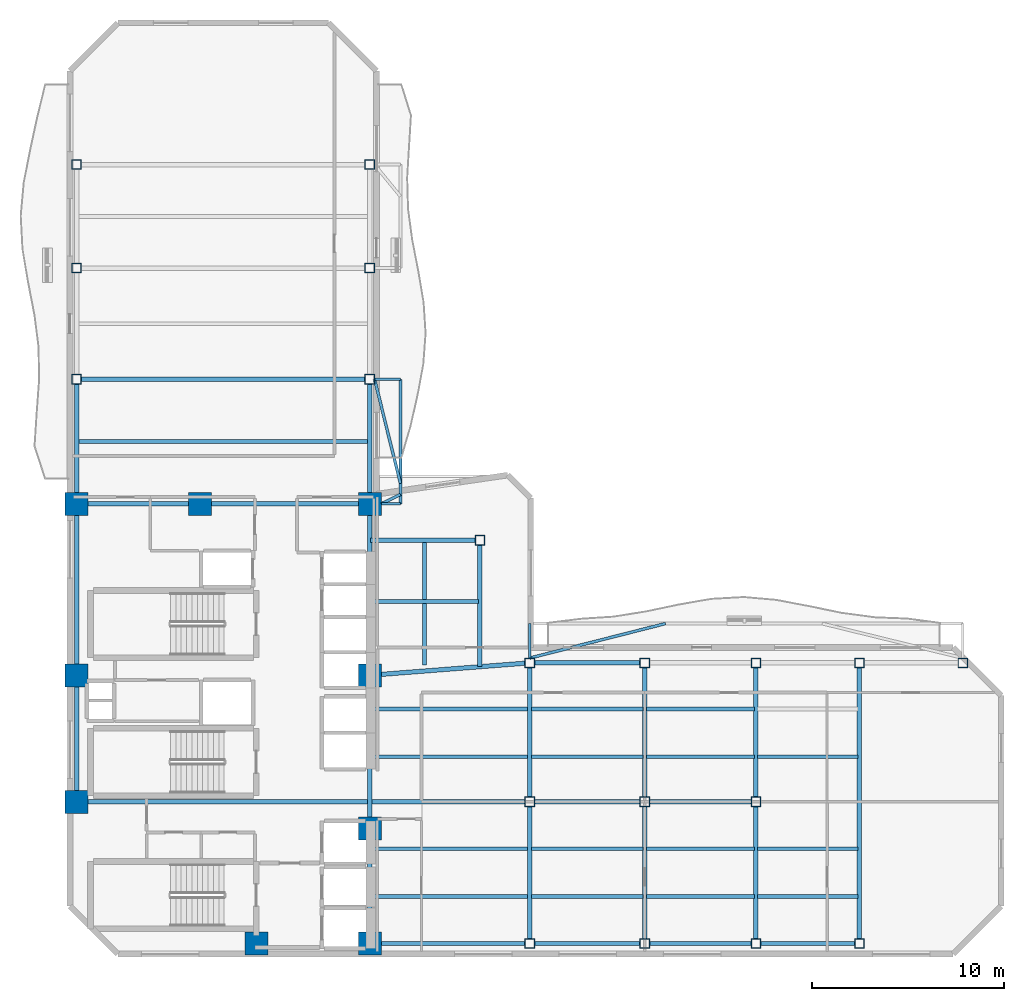
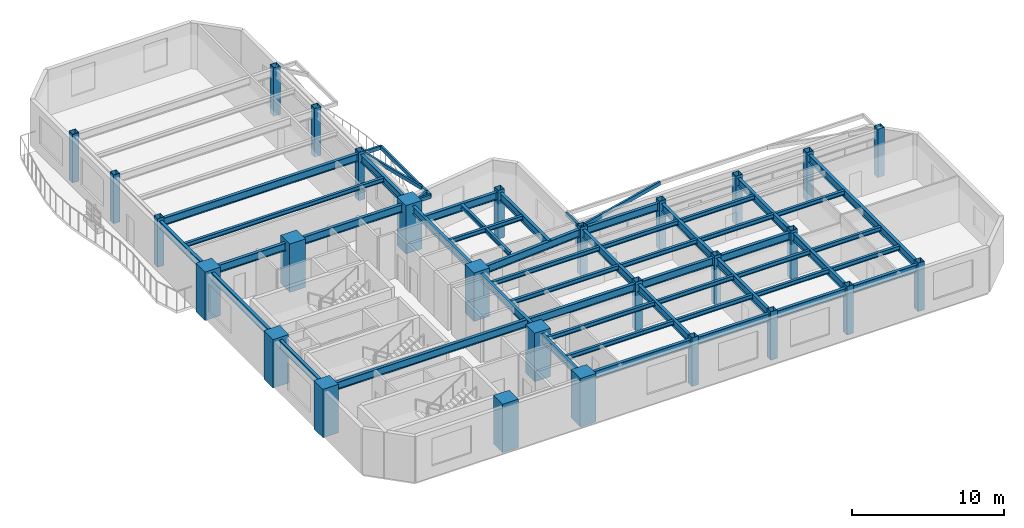
# One storey, part 1 of 9: 53 beams, 28 columns.
"""IFC4 building model written with IfcOpenShell, lengths in metres."""

import ifcopenshell
import ifcopenshell.guid

model = None  # the IFC model being written
_history = None  # IfcOwnerHistory: only IFC2X3 demands one
_inside = {}  # id of a spatial element -> (the spatial element, [elements in it])
_under = {}  # id of a project, library or spatial element -> (it, [spatial elements below it])
_declared = {}  # id of a project -> (the project, [libraries it declares])
_typed = {}  # id of a type object -> (the type object, [elements of that type])
_made_of = {}  # id of a material, layer set ... -> (it, [elements and type objects made of it])


def new_model(schema):
    """Start an empty IFC model of exactly this schema.

    Asked for "IFC4X3", IfcOpenShell would pick the latest addendum, in which some entities
    have other attributes; the version numbers below select the first issue.
    IFC2X3 requires an IfcOwnerHistory on every rooted entity: one is made here for all.
    """
    global model, _history
    if schema == "IFC4X3":
        model = ifcopenshell.file(schema_version=(4, 3, 0, 0))
    else:
        model = ifcopenshell.file(schema=schema)
    _inside.clear()
    _under.clear()
    _declared.clear()
    _typed.clear()
    _made_of.clear()
    _history = None
    if model.schema == "IFC2X3":
        org = make("IfcOrganization", Name="unknown")
        user = make(
            "IfcPersonAndOrganization",
            ThePerson=make("IfcPerson", FamilyName="unknown"),
            TheOrganization=org,
        )
        app = make(
            "IfcApplication",
            ApplicationDeveloper=org,
            Version="unknown",
            ApplicationFullName="unknown",
            ApplicationIdentifier="unknown",
        )
        _history = make(
            "IfcOwnerHistory",
            OwningUser=user,
            OwningApplication=app,
            ChangeAction="ADDED",
            CreationDate=0,
        )
    return model


def make(cls, **values):
    """One entity of the class cls with the attributes given. An attribute that is None is left unset."""
    return model.create_entity(
        cls, **{name: value for name, value in values.items() if value is not None}
    )


def rooted(cls, **values):
    """An entity with a GlobalId (a new one), such as an element, a storey or a relation."""
    return make(cls, GlobalId=ifcopenshell.guid.new(), OwnerHistory=_history, **values)


def si_unit(unit_type, name, prefix=None):
    """IfcSIUnit, for example si_unit("LENGTHUNIT", "METRE", prefix="MILLI")."""
    return make("IfcSIUnit", UnitType=unit_type, Prefix=prefix, Name=name)


def assignment(units):
    """IfcUnitAssignment: the units of a project."""
    return None if units is None else make("IfcUnitAssignment", Units=units)


def point(xyz):
    """IfcCartesianPoint."""
    return None if xyz is None else make("IfcCartesianPoint", Coordinates=xyz)


def direction(xyz):
    """IfcDirection."""
    return None if xyz is None else make("IfcDirection", DirectionRatios=xyz)


def frame(location, z_axis=None, x_axis=None):
    """IfcAxis2Placement3D, a coordinate frame: its origin and axes. An axis left out is left unset."""
    return make(
        "IfcAxis2Placement3D",
        Location=point(location),
        Axis=direction(z_axis),
        RefDirection=direction(x_axis),
    )


def frame_2d(location, x_axis=None):
    """IfcAxis2Placement2D, a coordinate frame in the plane: its origin and x axis."""
    return make(
        "IfcAxis2Placement2D", Location=point(location), RefDirection=direction(x_axis)
    )


def origin():
    """The frame at (0, 0, 0) with its axes left unset."""
    return frame((0.0, 0.0, 0.0))


def origin_2d():
    """The frame at (0, 0) in the plane with its x axis left unset."""
    return frame_2d((0.0, 0.0))


def place(relative_to, where):
    """IfcLocalPlacement: puts the frame where relative to a parent placement (None: the world)."""
    return make(
        "IfcLocalPlacement", PlacementRelTo=relative_to, RelativePlacement=where
    )


def context(
    kind, dimensions, precision=None, world=None, true_north=None, identifier=None
):
    """IfcGeometricRepresentationContext, for example the 3D "Model" context."""
    return make(
        "IfcGeometricRepresentationContext",
        ContextIdentifier=identifier,
        ContextType=kind,
        CoordinateSpaceDimension=dimensions,
        Precision=precision,
        WorldCoordinateSystem=world,
        TrueNorth=true_north,
    )


def subcontext(parent, identifier, kind, view, scale=None):
    """IfcGeometricRepresentationSubContext, for example "Body" below "Model"."""
    return make(
        "IfcGeometricRepresentationSubContext",
        ContextIdentifier=identifier,
        ContextType=kind,
        ParentContext=parent,
        TargetScale=scale,
        TargetView=view,
    )


def project(units=None, contexts=None):
    """IfcProject with its units and contexts."""
    return rooted(
        "IfcProject",
        Name="project",
        RepresentationContexts=contexts,
        UnitsInContext=assignment(units),
    )


def spatial(cls, under=None, at=None, **own):
    """A site, building, storey or space (cls), placed at a placement, below another one or the project."""
    s = rooted(cls, ObjectPlacement=at, **own)
    if under is not None:
        _under.setdefault(under.id(), (under, []))[1].append(s)
    return s


def profile(cls, at=None, kind="AREA", **sizes):
    """A parametric profile (cls). Its sizes go by their IFC names, for example OverallWidth=200.0."""
    return make(cls, ProfileType=kind, Position=at, **sizes)


def rectangle(**sizes):
    """IfcRectangleProfileDef."""
    return profile("IfcRectangleProfileDef", **sizes)


def hollow_rectangle(**sizes):
    """IfcRectangleHollowProfileDef."""
    return profile("IfcRectangleHollowProfileDef", **sizes)


def i_section(**sizes):
    """IfcIShapeProfileDef."""
    return profile("IfcIShapeProfileDef", **sizes)


def extrude(swept, where, along, depth):
    """IfcExtrudedAreaSolid: the profile swept, set in the frame where, extruded along a direction by depth."""
    return make(
        "IfcExtrudedAreaSolid",
        SweptArea=swept,
        Position=where,
        ExtrudedDirection=direction(along),
        Depth=depth,
    )


def shape(context_of_items, identifier, shape_type, items):
    """IfcShapeRepresentation: the items that make up one representation, for example the "Body"."""
    return make(
        "IfcShapeRepresentation",
        ContextOfItems=context_of_items,
        RepresentationIdentifier=identifier,
        RepresentationType=shape_type,
        Items=items,
    )


def material(Name=None, Category=None):
    """IfcMaterial."""
    return make("IfcMaterial", Name=Name, Category=Category)


def material_profile(
    of_material, cross_section, Name=None, Category=None, Priority=None
):
    """IfcMaterialProfile: a cross section and its material."""
    return make(
        "IfcMaterialProfile",
        Name=Name,
        Material=of_material,
        Profile=cross_section,
        Priority=Priority,
        Category=Category,
    )


def profile_set(profiles, Name=None, composite=None):
    """IfcMaterialProfileSet."""
    return make(
        "IfcMaterialProfileSet",
        Name=Name,
        MaterialProfiles=profiles,
        CompositeProfile=composite,
    )


def made_of(thing, what):
    """Note that an element or type object is made of a material, layer set ...; save() writes the relation."""
    if what is not None:
        _made_of.setdefault(what.id(), (what, []))[1].append(thing)
    return thing


def type_object(cls, material=None, **own):
    """A type object (cls), such as IfcWallType, which elements share."""
    return made_of(rooted(cls, **own), material)


def element(
    cls,
    number,
    at=None,
    inside=None,
    cuts=None,
    type_object=None,
    material=None,
    context=None,
    identifier="Body",
    shape_type=None,
    held_by="IfcProductDefinitionShape",
    body=None,
    shapes=None,
    **own,
):
    """One element of the class cls, such as IfcWall. Its Tag is "e" and its number.

    at: its placement. inside: the storey or other place that contains it. cuts: it is an
    opening in that element (IfcRelVoidsElement). A single representation is given by context,
    identifier, shape_type and body (its items); several are given by shapes. held_by: the class
    of the entity that holds the representations. save() writes the other relations.
    """
    e = rooted(cls, Tag="e%d" % number, ObjectPlacement=at, **own)
    if body is not None:
        shapes = [shape(context, identifier, shape_type, body)]
    if shapes is not None:
        e.Representation = make(held_by, Representations=shapes)
    if inside is not None:
        _inside.setdefault(inside.id(), (inside, []))[1].append(e)
    if cuts is not None:
        rooted(
            "IfcRelVoidsElement", RelatingBuildingElement=cuts, RelatedOpeningElement=e
        )
    if type_object is not None:
        _typed.setdefault(type_object.id(), (type_object, []))[1].append(e)
    return made_of(e, material)


def aggregate(whole, parts):
    """IfcRelAggregates: a whole, such as a stair, and the parts it consists of."""
    return rooted("IfcRelAggregates", RelatingObject=whole, RelatedObjects=parts)


def save(model, path):
    """Write the relations noted so far, then the file.

    IfcRelAggregates (storeys below a building ...), IfcRelContainedInSpatialStructure (elements
    in a storey), IfcRelDefinesByType, IfcRelAssociatesMaterial and IfcRelDeclares: one each for
    every whole, place, type object, material and project.
    """
    for whole, parts in _under.values():
        aggregate(whole, parts)
    for where, things in _inside.values():
        rooted(
            "IfcRelContainedInSpatialStructure",
            RelatedElements=things,
            RelatingStructure=where,
        )
    for kind, things in _typed.values():
        rooted("IfcRelDefinesByType", RelatedObjects=things, RelatingType=kind)
    for what, things in _made_of.values():
        rooted("IfcRelAssociatesMaterial", RelatedObjects=things, RelatingMaterial=what)
    for by, libraries in _declared.values():
        rooted("IfcRelDeclares", RelatingContext=by, RelatedDefinitions=libraries)
    model.write(path)


model = new_model("IFC4")

# Units and contexts
model_context = context("Model", 3, precision=1e-05, world=origin(), true_north=direction((0.0, 1.0)))
body_context = subcontext(model_context, "Body", "Model", "MODEL_VIEW")
ifc_project = project(units=[si_unit("LENGTHUNIT", "METRE"), si_unit("AREAUNIT", "SQUARE_METRE"), si_unit("VOLUMEUNIT", "CUBIC_METRE"), si_unit("PLANEANGLEUNIT", "RADIAN"), si_unit("MASSUNIT", "GRAM", prefix="KILO")], contexts=[model_context])

# Site, building, storey
site_placement = place(None, origin())
site = spatial("IfcSite", under=ifc_project, at=site_placement, CompositionType="ELEMENT")
building_placement = place(site_placement, origin())
building = spatial("IfcBuilding", under=site, at=building_placement, Name="Mawjaban Terraces University", CompositionType="ELEMENT")
storey_placement = place(building_placement, frame((0.0, 0.0, 146.300048828125)))
storey = spatial("IfcBuildingStorey", under=building, at=storey_placement, Name="L35", CompositionType="ELEMENT", Elevation=146.300048828125)

# Columns
ifc_material_1 = material(Name="Concrete C60/75", Category="concrete")
ifc_material_profile_1 = material_profile(ifc_material_1, rectangle(XDim=1.199951171875, YDim=1.199951171875, at=origin_2d()), Name="RC1200X1200")
ifc_profile_set_1 = profile_set([ifc_material_profile_1], Name="Concrete C60/75")
column_type_1 = type_object("IfcColumnType", Name="Col_RC1200X1200", PredefinedType="COLUMN", material=ifc_profile_set_1)
for number, where, z_axis, x_axis, name in (
    (1, (31.75, 0.550048828125, 0.0), (0.0, 0.0, 1.0), (1.0, 0.0, 0.0), "L35 Column CC2"),
    (2, (37.64990234375, 0.550048828125, 0.0), (0.0, 0.0, 1.0), (1.0, 0.0, 0.0), "L35 Column CC3"),
    (3, (22.35009765625, 7.949951171875, 0.0), (0.0, 0.0, 1.0), (1.0, 0.0, 0.0), "L35 Column CC4"),
    (4, (37.64990234375, 6.550048828125, 0.0), (0.0, 0.0, 1.0), (1.0, 0.0, 0.0), "L35 Column CC5"),
    (5, (22.35009765625, 14.550048828125, 0.0), (0.0, 0.0, 1.0), (1.0, 0.0, 0.0), "L35 Column CC6"),
    (6, (37.64990234375, 14.550048828125, 0.0), (0.0, 0.0, 1.0), (1.0, 0.0, 0.0), "L35 Column CC7"),
    (7, (22.35009765625, 23.5, 0.0), (0.0, 0.0, 1.0), (1.0, 0.0, 0.0), "L35 Column CC8"),
    (8, (28.800048828125, 23.5, 0.0), (0.0, 0.0, 1.0), (1.0, 0.0, 0.0), "L35 Column CC9"),
    (9, (37.64990234375, 23.5, 0.0), (0.0, 0.0, 1.0), (1.0, 0.0, 0.0), "L35 Column CC10"),
):
    element("IfcColumn", number, at=place(storey_placement, frame(where, z_axis=z_axis, x_axis=x_axis)), inside=storey, type_object=column_type_1, Name=name, PredefinedType="COLUMN", context=body_context, shape_type="SweptSolid", body=[
        extrude(rectangle(XDim=1.199951171875, YDim=1.199951171875, at=origin_2d()), origin(), (0.0, 0.0, 1.0), 3.89990234375),
    ])
ifc_material_2 = material(Name="Steel EN 10210-1 S355J2H", Category="steel")
ifc_material_profile_2 = material_profile(ifc_material_2, hollow_rectangle(XDim=0.5, YDim=0.5, WallThickness=0.02490234375, at=origin_2d()), Name="SHS500X500X25")
ifc_profile_set_2 = profile_set([ifc_material_profile_2], Name="Steel EN 10210-1 S355J2H")
column_type_2 = type_object("IfcColumnType", Name="Col_SHS500X500X25", PredefinedType="COLUMN", material=ifc_profile_set_2)
for number, where, z_axis, x_axis, name in (
    (10, (46.0, 0.550048828125, 0.0), (0.0, 0.0, 1.0), (1.0, 0.0, 0.0), "L35 Column TE-460-005"),
    (11, (46.0, 7.949951171875, 0.0), (0.0, 0.0, 1.0), (1.0, 0.0, 0.0), "L35 Column TE-460-080"),
    (12, (46.0, 15.199951171875, 0.0), (0.0, 0.0, 1.0), (1.0, 0.0, 0.0), "L35 Column TE-460-152"),
    (13, (52.0, 0.550048828125, 0.0), (0.0, 0.0, 1.0), (1.0, 0.0, 0.0), "L35 Column TE-520-005"),
    (14, (52.0, 7.949951171875, 0.0), (0.0, 0.0, 1.0), (1.0, 0.0, 0.0), "L35 Column TE-520-080"),
    (15, (52.0, 15.199951171875, 0.0), (0.0, 0.0, 1.0), (1.0, 0.0, 0.0), "L35 Column TE-520-152"),
    (16, (57.800048828125, 0.550048828125, 0.0), (0.0, 0.0, 1.0), (1.0, 0.0, 0.0), "L35 Column TE-578-005"),
    (17, (57.800048828125, 7.949951171875, 0.0), (0.0, 0.0, 1.0), (1.0, 0.0, 0.0), "L35 Column TE-578-080"),
    (18, (57.800048828125, 15.199951171875, 0.0), (0.0, 0.0, 1.0), (1.0, 0.0, 0.0), "L35 Column TE-578-152"),
    (19, (63.199951171875, 0.550048828125, 0.0), (0.0, 0.0, 1.0), (1.0, 0.0, 0.0), "L35 Column TE-632-005"),
    (20, (63.199951171875, 15.199951171875, 0.0), (0.0, 0.0, 1.0), (1.0, 0.0, 0.0), "L35 Column TE-632-152"),
    (21, (68.60009765625, 15.199951171875, 0.0), (0.0, 0.0, 1.0), (1.0, 0.0, 0.0), "L35 Column TE-686-152"),
    (22, (22.35009765625, 30.0, 0.0), (0.0, 0.0, 1.0), (1.0, 0.0, 0.0), "L35 Column TN-223-300"),
    (23, (37.64990234375, 30.0, 0.0), (0.0, 0.0, 1.0), (1.0, 0.0, 0.0), "L35 Column TN-376-300"),
    (24, (22.35009765625, 35.800048828125, 0.0), (0.0, 0.0, 1.0), (1.0, 0.0, 0.0), "L35 Column TN-223-358"),
    (25, (37.64990234375, 35.800048828125, 0.0), (0.0, 0.0, 1.0), (1.0, 0.0, 0.0), "L35 Column TN-376-358"),
    (26, (22.35009765625, 41.199951171875, 0.0), (0.0, 0.0, 1.0), (1.0, 0.0, 0.0), "L35 Column TN-223-412"),
    (27, (37.64990234375, 41.199951171875, 0.0), (0.0, 0.0, 1.0), (1.0, 0.0, 0.0), "L35 Column TN-376-412"),
    (28, (43.39990234375, 21.60009765625, 0.0), (0.0, 0.0, 1.0), (1.0, 0.0, 0.0), "L35 Column TS-434-216"),
):
    element("IfcColumn", number, at=place(storey_placement, frame(where, z_axis=z_axis, x_axis=x_axis)), inside=storey, type_object=column_type_2, Name=name, PredefinedType="COLUMN", context=body_context, shape_type="SweptSolid", body=[
        extrude(hollow_rectangle(XDim=0.5, YDim=0.5, WallThickness=0.02490234375, at=origin_2d()), origin(), (0.0, 0.0, 1.0), 3.89990234375),
    ])

# Beams
ifc_material_profile_3 = material_profile(ifc_material_2, hollow_rectangle(XDim=0.14990234375, YDim=0.300048828125, WallThickness=0.012451171875, at=origin_2d()), Name="RHS300X150X12.5")
ifc_profile_set_3 = profile_set([ifc_material_profile_3], Name="Steel EN 10210-1 S355J2H")
beam_type_1 = type_object("IfcBeamType", Name="BalconyCantileverSpandrel_RHS", PredefinedType="SPANDREL", material=ifc_profile_set_3)
beam_1_placement = place(storey_placement, frame((46.0, 15.449951171875, 3.5400390625), z_axis=(0.0, 1.0, 0.0), x_axis=(-1.0, 0.0, 0.0)))
element("IfcBeam", 29, at=beam_1_placement, inside=storey, type_object=beam_type_1, Name="L35 Exterior Outrigger BAL-L36-N.1", PredefinedType="SPANDREL", context=body_context, shape_type="SweptSolid", body=[
    extrude(hollow_rectangle(XDim=0.14990234375, YDim=0.300048828125, WallThickness=0.012451171875, at=origin_2d()), origin(), (0.0, 0.0, 1.0), 1.800048828125),
])
beam_2_placement = place(storey_placement, frame((46.0, 15.449951171875, 3.5400390625), z_axis=(0.969183810261, 0.24633867323, 0.0), x_axis=(-0.24633867323, 0.969183810261, 0.0)))
element("IfcBeam", 30, at=beam_2_placement, inside=storey, type_object=beam_type_1, Name="L35 Exterior Diagonal Strut BAL-L36-N.1", PredefinedType="SPANDREL", context=body_context, shape_type="SweptSolid", body=[
    extrude(hollow_rectangle(XDim=0.14990234375, YDim=0.300048828125, WallThickness=0.012451171875, at=origin_2d()), origin(), (0.0, 0.0, 1.0), 7.30712890625),
])
beam_3_placement = place(storey_placement, frame((38.25, 23.5, 3.5400390625), z_axis=(1.0, 0.0, 0.0), x_axis=(0.0, 1.0, 0.0)))
element("IfcBeam", 31, at=beam_3_placement, inside=storey, type_object=beam_type_1, Name="L35 Exterior Outrigger TER-L36-CLIMB.1", PredefinedType="SPANDREL", context=body_context, shape_type="SweptSolid", body=[
    extrude(hollow_rectangle(XDim=0.14990234375, YDim=0.300048828125, WallThickness=0.012451171875, at=origin_2d()), origin(), (0.0, 0.0, 1.0), 1.0),
])
beam_4_placement = place(storey_placement, frame((37.89990234375, 30.0, 3.5400390625), z_axis=(1.0, 0.0, 0.0), x_axis=(0.0, 1.0, 0.0)))
element("IfcBeam", 32, at=beam_4_placement, inside=storey, type_object=beam_type_1, Name="L35 Exterior Outrigger TER-L36-CLIMB.2", PredefinedType="SPANDREL", context=body_context, shape_type="SweptSolid", body=[
    extrude(hollow_rectangle(XDim=0.14990234375, YDim=0.300048828125, WallThickness=0.012451171875, at=origin_2d()), origin(), (0.0, 0.0, 1.0), 1.35009765625),
])
beam_5_placement = place(storey_placement, frame((39.25, 23.5, 3.5400390625), z_axis=(0.0, 1.0, 0.0), x_axis=(-1.0, 0.0, 0.0)))
element("IfcBeam", 33, at=beam_5_placement, inside=storey, type_object=beam_type_1, Name="L35 Exterior Edge Spandrel TER-L36-CLIMB", PredefinedType="SPANDREL", context=body_context, shape_type="SweptSolid", body=[
    extrude(hollow_rectangle(XDim=0.14990234375, YDim=0.300048828125, WallThickness=0.012451171875, at=origin_2d()), origin(), (0.0, 0.0, 1.0), 6.5),
])
beam_6_placement = place(storey_placement, frame((38.25, 23.5, 3.5400390625), z_axis=(0.899722630954, 0.436462125905, 0.0), x_axis=(-0.436462125905, 0.899722630954, 0.0)))
element("IfcBeam", 34, at=beam_6_placement, inside=storey, type_object=beam_type_1, Name="L35 Exterior Diagonal Strut TER-L36-CLIMB.1", PredefinedType="SPANDREL", context=body_context, shape_type="SweptSolid", body=[
    extrude(hollow_rectangle(XDim=0.14990234375, YDim=0.300048828125, WallThickness=0.012451171875, at=origin_2d()), origin(), (0.0, 0.0, 1.0), 1.111572265625),
])
beam_7_placement = place(storey_placement, frame((37.89990234375, 30.0, 3.5400390625), z_axis=(0.241078775304, -0.970505550782, 0.0), x_axis=(0.970505550782, 0.241078775304, 0.0)))
element("IfcBeam", 35, at=beam_7_placement, inside=storey, type_object=beam_type_1, Name="L35 Exterior Diagonal Strut TER-L36-CLIMB.2", PredefinedType="SPANDREL", context=body_context, shape_type="SweptSolid", body=[
    extrude(hollow_rectangle(XDim=0.14990234375, YDim=0.300048828125, WallThickness=0.012451171875, at=origin_2d()), origin(), (0.0, 0.0, 1.0), 5.600341796875),
])
ifc_material_3 = material(Name="Steel ASTM A572 Grade 50", Category="steel")
ifc_material_profile_4 = material_profile(ifc_material_3, i_section(OverallWidth=0.22998046875, OverallDepth=0.616943359375, WebThickness=0.01318359375, FlangeThickness=0.022216796875, at=origin_2d()), Name="W610X140")
ifc_profile_set_4 = profile_set([ifc_material_profile_4], Name="Steel ASTM A572 Grade 50")
beam_type_2 = type_object("IfcBeamType", Name="Beam_B_W610X140", PredefinedType="BEAM", material=ifc_profile_set_4)
beam_8_placement = place(storey_placement, frame((38.25, 0.550048828125, 3.380859375), z_axis=(1.0, 0.0, 0.0), x_axis=(0.0, 1.0, 0.0)))
element("IfcBeam", 36, at=beam_8_placement, inside=storey, type_object=beam_type_2, Name="L35 Beam BM-L35-EW-01", PredefinedType="BEAM", context=body_context, shape_type="SweptSolid", body=[
    extrude(i_section(OverallWidth=0.22998046875, OverallDepth=0.616943359375, WebThickness=0.01318359375, FlangeThickness=0.022216796875, at=origin_2d()), origin(), (0.0, 0.0, 1.0), 7.5),
])
beam_9_placement = place(storey_placement, frame((46.25, 0.550048828125, 3.380859375), z_axis=(1.0, 0.0, 0.0), x_axis=(0.0, 1.0, 0.0)))
element("IfcBeam", 37, at=beam_9_placement, inside=storey, type_object=beam_type_2, Name="L35 Beam BM-L35-EW-02", PredefinedType="BEAM", context=body_context, shape_type="SweptSolid", body=[
    extrude(i_section(OverallWidth=0.22998046875, OverallDepth=0.616943359375, WebThickness=0.01318359375, FlangeThickness=0.022216796875, at=origin_2d()), origin(), (0.0, 0.0, 1.0), 5.5),
])
beam_10_placement = place(storey_placement, frame((52.25, 0.550048828125, 3.380859375), z_axis=(1.0, 0.0, 0.0), x_axis=(0.0, 1.0, 0.0)))
element("IfcBeam", 38, at=beam_10_placement, inside=storey, type_object=beam_type_2, Name="L35 Beam BM-L35-EW-03", PredefinedType="BEAM", context=body_context, shape_type="SweptSolid", body=[
    extrude(i_section(OverallWidth=0.22998046875, OverallDepth=0.616943359375, WebThickness=0.01318359375, FlangeThickness=0.022216796875, at=origin_2d()), origin(), (0.0, 0.0, 1.0), 5.300048828125),
])
beam_11_placement = place(storey_placement, frame((58.050048828125, 0.550048828125, 3.380859375), z_axis=(1.0, 0.0, 0.0), x_axis=(0.0, 1.0, 0.0)))
element("IfcBeam", 39, at=beam_11_placement, inside=storey, type_object=beam_type_2, Name="L35 Beam BM-L35-EW-04", PredefinedType="BEAM", context=body_context, shape_type="SweptSolid", body=[
    extrude(i_section(OverallWidth=0.22998046875, OverallDepth=0.616943359375, WebThickness=0.01318359375, FlangeThickness=0.022216796875, at=origin_2d()), origin(), (0.0, 0.0, 1.0), 4.89990234375),
])
beam_12_placement = place(storey_placement, frame((22.949951171875, 7.949951171875, 3.380859375), z_axis=(1.0, 0.0, 0.0), x_axis=(0.0, 1.0, 0.0)))
element("IfcBeam", 40, at=beam_12_placement, inside=storey, type_object=beam_type_2, Name="L35 Beam BM-L35-EW-05", PredefinedType="BEAM", context=body_context, shape_type="SweptSolid", body=[
    extrude(i_section(OverallWidth=0.22998046875, OverallDepth=0.616943359375, WebThickness=0.01318359375, FlangeThickness=0.022216796875, at=origin_2d()), origin(), (0.0, 0.0, 1.0), 22.800048828125),
])
beam_13_placement = place(storey_placement, frame((46.25, 7.949951171875, 3.380859375), z_axis=(1.0, 0.0, 0.0), x_axis=(0.0, 1.0, 0.0)))
element("IfcBeam", 41, at=beam_13_placement, inside=storey, type_object=beam_type_2, Name="L35 Beam BM-L35-EW-06", PredefinedType="BEAM", context=body_context, shape_type="SweptSolid", body=[
    extrude(i_section(OverallWidth=0.22998046875, OverallDepth=0.616943359375, WebThickness=0.01318359375, FlangeThickness=0.022216796875, at=origin_2d()), origin(), (0.0, 0.0, 1.0), 5.5),
])
beam_14_placement = place(storey_placement, frame((52.25, 7.949951171875, 3.380859375), z_axis=(1.0, 0.0, 0.0), x_axis=(0.0, 1.0, 0.0)))
element("IfcBeam", 42, at=beam_14_placement, inside=storey, type_object=beam_type_2, Name="L35 Beam BM-L35-EW-07", PredefinedType="BEAM", context=body_context, shape_type="SweptSolid", body=[
    extrude(i_section(OverallWidth=0.22998046875, OverallDepth=0.616943359375, WebThickness=0.01318359375, FlangeThickness=0.022216796875, at=origin_2d()), origin(), (0.0, 0.0, 1.0), 5.300048828125),
])
beam_15_placement = place(storey_placement, frame((46.25, 15.199951171875, 3.380859375), z_axis=(1.0, 0.0, 0.0), x_axis=(0.0, 1.0, 0.0)))
element("IfcBeam", 43, at=beam_15_placement, inside=storey, type_object=beam_type_2, Name="L35 Beam BM-L35-EW-08", PredefinedType="BEAM", context=body_context, shape_type="SweptSolid", body=[
    extrude(i_section(OverallWidth=0.22998046875, OverallDepth=0.616943359375, WebThickness=0.01318359375, FlangeThickness=0.022216796875, at=origin_2d()), origin(), (0.0, 0.0, 1.0), 5.5),
])
beam_16_placement = place(storey_placement, frame((22.949951171875, 23.5, 3.380859375), z_axis=(1.0, 0.0, 0.0), x_axis=(0.0, 1.0, 0.0)))
element("IfcBeam", 44, at=beam_16_placement, inside=storey, type_object=beam_type_2, Name="L35 Beam BM-L35-EW-12", PredefinedType="BEAM", context=body_context, shape_type="SweptSolid", body=[
    extrude(i_section(OverallWidth=0.22998046875, OverallDepth=0.616943359375, WebThickness=0.01318359375, FlangeThickness=0.022216796875, at=origin_2d()), origin(), (0.0, 0.0, 1.0), 5.25),
])
beam_17_placement = place(storey_placement, frame((29.39990234375, 23.5, 3.380859375), z_axis=(1.0, 0.0, 0.0), x_axis=(0.0, 1.0, 0.0)))
element("IfcBeam", 45, at=beam_17_placement, inside=storey, type_object=beam_type_2, Name="L35 Beam BM-L35-EW-13", PredefinedType="BEAM", context=body_context, shape_type="SweptSolid", body=[
    extrude(i_section(OverallWidth=0.22998046875, OverallDepth=0.616943359375, WebThickness=0.01318359375, FlangeThickness=0.022216796875, at=origin_2d()), origin(), (0.0, 0.0, 1.0), 7.650146484375),
])
beam_18_placement = place(storey_placement, frame((22.60009765625, 30.0, 3.380859375), z_axis=(1.0, 0.0, 0.0), x_axis=(0.0, 1.0, 0.0)))
element("IfcBeam", 46, at=beam_18_placement, inside=storey, type_object=beam_type_2, Name="L35 Beam BM-L35-EW-14", PredefinedType="BEAM", context=body_context, shape_type="SweptSolid", body=[
    extrude(i_section(OverallWidth=0.22998046875, OverallDepth=0.616943359375, WebThickness=0.01318359375, FlangeThickness=0.022216796875, at=origin_2d()), origin(), (0.0, 0.0, 1.0), 14.7998046875),
])
beam_19_placement = place(storey_placement, frame((22.35009765625, 8.550048828125, 3.380859375), z_axis=(0.0, 1.0, 0.0), x_axis=(-1.0, 0.0, 0.0)))
element("IfcBeam", 47, at=beam_19_placement, inside=storey, type_object=beam_type_2, Name="L35 Beam BM-L35-NS-01", PredefinedType="BEAM", context=body_context, shape_type="SweptSolid", body=[
    extrude(i_section(OverallWidth=0.22998046875, OverallDepth=0.616943359375, WebThickness=0.01318359375, FlangeThickness=0.022216796875, at=origin_2d()), origin(), (0.0, 0.0, 1.0), 5.39990234375),
])
beam_20_placement = place(storey_placement, frame((22.35009765625, 15.14990234375, 3.380859375), z_axis=(0.0, 1.0, 0.0), x_axis=(-1.0, 0.0, 0.0)))
element("IfcBeam", 48, at=beam_20_placement, inside=storey, type_object=beam_type_2, Name="L35 Beam BM-L35-NS-02", PredefinedType="BEAM", context=body_context, shape_type="SweptSolid", body=[
    extrude(i_section(OverallWidth=0.22998046875, OverallDepth=0.616943359375, WebThickness=0.01318359375, FlangeThickness=0.022216796875, at=origin_2d()), origin(), (0.0, 0.0, 1.0), 7.75),
])
beam_21_placement = place(storey_placement, frame((22.35009765625, 24.10009765625, 3.380859375), z_axis=(0.0, 1.0, 0.0), x_axis=(-1.0, 0.0, 0.0)))
element("IfcBeam", 49, at=beam_21_placement, inside=storey, type_object=beam_type_2, Name="L35 Beam BM-L35-NS-03", PredefinedType="BEAM", context=body_context, shape_type="SweptSolid", body=[
    extrude(i_section(OverallWidth=0.22998046875, OverallDepth=0.616943359375, WebThickness=0.01318359375, FlangeThickness=0.022216796875, at=origin_2d()), origin(), (0.0, 0.0, 1.0), 5.64990234375),
])
beam_22_placement = place(storey_placement, frame((37.64990234375, 1.14990234375, 3.380859375), z_axis=(0.0, 1.0, 0.0), x_axis=(-1.0, 0.0, 0.0)))
element("IfcBeam", 50, at=beam_22_placement, inside=storey, type_object=beam_type_2, Name="L35 Beam BM-L35-NS-06", PredefinedType="BEAM", context=body_context, shape_type="SweptSolid", body=[
    extrude(i_section(OverallWidth=0.22998046875, OverallDepth=0.616943359375, WebThickness=0.01318359375, FlangeThickness=0.022216796875, at=origin_2d()), origin(), (0.0, 0.0, 1.0), 4.800048828125),
])
beam_23_placement = place(storey_placement, frame((37.64990234375, 7.14990234375, 3.380859375), z_axis=(0.0, 1.0, 0.0), x_axis=(-1.0, 0.0, 0.0)))
element("IfcBeam", 51, at=beam_23_placement, inside=storey, type_object=beam_type_2, Name="L35 Beam BM-L35-NS-07", PredefinedType="BEAM", context=body_context, shape_type="SweptSolid", body=[
    extrude(i_section(OverallWidth=0.22998046875, OverallDepth=0.616943359375, WebThickness=0.01318359375, FlangeThickness=0.022216796875, at=origin_2d()), origin(), (0.0, 0.0, 1.0), 6.800048828125),
])
beam_24_placement = place(storey_placement, frame((37.64990234375, 15.14990234375, 3.380859375), z_axis=(0.0, 1.0, 0.0), x_axis=(-1.0, 0.0, 0.0)))
element("IfcBeam", 52, at=beam_24_placement, inside=storey, type_object=beam_type_2, Name="L35 Beam BM-L35-NS-08", PredefinedType="BEAM", context=body_context, shape_type="SweptSolid", body=[
    extrude(i_section(OverallWidth=0.22998046875, OverallDepth=0.616943359375, WebThickness=0.01318359375, FlangeThickness=0.022216796875, at=origin_2d()), origin(), (0.0, 0.0, 1.0), 7.75),
])
beam_25_placement = place(storey_placement, frame((37.64990234375, 24.10009765625, 3.380859375), z_axis=(0.0, 1.0, 0.0), x_axis=(-1.0, 0.0, 0.0)))
element("IfcBeam", 53, at=beam_25_placement, inside=storey, type_object=beam_type_2, Name="L35 Beam BM-L35-NS-09", PredefinedType="BEAM", context=body_context, shape_type="SweptSolid", body=[
    extrude(i_section(OverallWidth=0.22998046875, OverallDepth=0.616943359375, WebThickness=0.01318359375, FlangeThickness=0.022216796875, at=origin_2d()), origin(), (0.0, 0.0, 1.0), 5.64990234375),
])
beam_26_placement = place(storey_placement, frame((46.0, 0.800048828125, 3.380859375), z_axis=(0.0, 1.0, 0.0), x_axis=(-1.0, 0.0, 0.0)))
element("IfcBeam", 54, at=beam_26_placement, inside=storey, type_object=beam_type_2, Name="L35 Beam BM-L35-NS-12", PredefinedType="BEAM", context=body_context, shape_type="SweptSolid", body=[
    extrude(i_section(OverallWidth=0.22998046875, OverallDepth=0.616943359375, WebThickness=0.01318359375, FlangeThickness=0.022216796875, at=origin_2d()), origin(), (0.0, 0.0, 1.0), 6.89990234375),
])
beam_27_placement = place(storey_placement, frame((46.0, 8.199951171875, 3.380859375), z_axis=(0.0, 1.0, 0.0), x_axis=(-1.0, 0.0, 0.0)))
element("IfcBeam", 55, at=beam_27_placement, inside=storey, type_object=beam_type_2, Name="L35 Beam BM-L35-NS-13", PredefinedType="BEAM", context=body_context, shape_type="SweptSolid", body=[
    extrude(i_section(OverallWidth=0.22998046875, OverallDepth=0.616943359375, WebThickness=0.01318359375, FlangeThickness=0.022216796875, at=origin_2d()), origin(), (0.0, 0.0, 1.0), 6.75),
])
beam_28_placement = place(storey_placement, frame((52.0, 0.800048828125, 3.380859375), z_axis=(0.0, 1.0, 0.0), x_axis=(-1.0, 0.0, 0.0)))
element("IfcBeam", 56, at=beam_28_placement, inside=storey, type_object=beam_type_2, Name="L35 Beam BM-L35-NS-14", PredefinedType="BEAM", context=body_context, shape_type="SweptSolid", body=[
    extrude(i_section(OverallWidth=0.22998046875, OverallDepth=0.616943359375, WebThickness=0.01318359375, FlangeThickness=0.022216796875, at=origin_2d()), origin(), (0.0, 0.0, 1.0), 6.89990234375),
])
beam_29_placement = place(storey_placement, frame((52.0, 8.199951171875, 3.380859375), z_axis=(0.0, 1.0, 0.0), x_axis=(-1.0, 0.0, 0.0)))
element("IfcBeam", 57, at=beam_29_placement, inside=storey, type_object=beam_type_2, Name="L35 Beam BM-L35-NS-15", PredefinedType="BEAM", context=body_context, shape_type="SweptSolid", body=[
    extrude(i_section(OverallWidth=0.22998046875, OverallDepth=0.616943359375, WebThickness=0.01318359375, FlangeThickness=0.022216796875, at=origin_2d()), origin(), (0.0, 0.0, 1.0), 6.75),
])
beam_30_placement = place(storey_placement, frame((57.800048828125, 0.800048828125, 3.380859375), z_axis=(0.0, 1.0, 0.0), x_axis=(-1.0, 0.0, 0.0)))
element("IfcBeam", 58, at=beam_30_placement, inside=storey, type_object=beam_type_2, Name="L35 Beam BM-L35-NS-16", PredefinedType="BEAM", context=body_context, shape_type="SweptSolid", body=[
    extrude(i_section(OverallWidth=0.22998046875, OverallDepth=0.616943359375, WebThickness=0.01318359375, FlangeThickness=0.022216796875, at=origin_2d()), origin(), (0.0, 0.0, 1.0), 6.89990234375),
])
beam_31_placement = place(storey_placement, frame((57.800048828125, 8.199951171875, 3.380859375), z_axis=(0.0, 1.0, 0.0), x_axis=(-1.0, 0.0, 0.0)))
element("IfcBeam", 59, at=beam_31_placement, inside=storey, type_object=beam_type_2, Name="L35 Beam BM-L35-NS-17", PredefinedType="BEAM", context=body_context, shape_type="SweptSolid", body=[
    extrude(i_section(OverallWidth=0.22998046875, OverallDepth=0.616943359375, WebThickness=0.01318359375, FlangeThickness=0.022216796875, at=origin_2d()), origin(), (0.0, 0.0, 1.0), 6.75),
])
beam_32_placement = place(storey_placement, frame((63.199951171875, 0.800048828125, 3.380859375), z_axis=(0.0, 1.0, 0.0), x_axis=(-1.0, 0.0, 0.0)))
element("IfcBeam", 60, at=beam_32_placement, inside=storey, type_object=beam_type_2, Name="L35 Beam BM-L35-NS-18", PredefinedType="BEAM", context=body_context, shape_type="SweptSolid", body=[
    extrude(i_section(OverallWidth=0.22998046875, OverallDepth=0.616943359375, WebThickness=0.01318359375, FlangeThickness=0.022216796875, at=origin_2d()), origin(), (0.0, 0.0, 1.0), 14.14990234375),
])
beam_33_placement = place(storey_placement, frame((38.248046875, 14.596923828125, 3.380859375), z_axis=(0.996984614132, 0.077599479273, 0.0), x_axis=(-0.077599479273, 0.996984614132, 0.0)))
element("IfcBeam", 61, at=beam_33_placement, inside=storey, type_object=beam_type_2, Name="L35 Beam BM-L35-CTIE", PredefinedType="BEAM", context=body_context, shape_type="SweptSolid", body=[
    extrude(i_section(OverallWidth=0.22998046875, OverallDepth=0.616943359375, WebThickness=0.01318359375, FlangeThickness=0.022216796875, at=origin_2d()), origin(), (0.0, 0.0, 1.0), 7.525634765625),
])
beam_34_placement = place(storey_placement, frame((37.679931640625, 21.60009765625, 3.380859375), z_axis=(1.0, 0.0, 0.0), x_axis=(0.0, 1.0, 0.0)))
element("IfcBeam", 62, at=beam_34_placement, inside=storey, type_object=beam_type_2, Name="L35 Spur Tie Girder West", PredefinedType="BEAM", context=body_context, shape_type="SweptSolid", body=[
    extrude(i_section(OverallWidth=0.22998046875, OverallDepth=0.616943359375, WebThickness=0.01318359375, FlangeThickness=0.022216796875, at=origin_2d()), origin(), (0.0, 0.0, 1.0), 5.469970703125),
])
beam_35_placement = place(storey_placement, frame((43.39990234375, 15.0, 3.380859375), z_axis=(0.0, 1.0, 0.0), x_axis=(-1.0, 0.0, 0.0)))
element("IfcBeam", 63, at=beam_35_placement, inside=storey, type_object=beam_type_2, Name="L35 Spur Tie Girder South", PredefinedType="BEAM", context=body_context, shape_type="SweptSolid", body=[
    extrude(i_section(OverallWidth=0.22998046875, OverallDepth=0.616943359375, WebThickness=0.01318359375, FlangeThickness=0.022216796875, at=origin_2d()), origin(), (0.0, 0.0, 1.0), 6.35009765625),
])
ifc_material_profile_5 = material_profile(ifc_material_3, i_section(OverallWidth=0.202880859375, OverallDepth=0.346923828125, WebThickness=0.0078125, FlangeThickness=0.013427734375, at=origin_2d()), Name="W360X64")
ifc_profile_set_5 = profile_set([ifc_material_profile_5], Name="Steel ASTM A572 Grade 50")
beam_type_3 = type_object("IfcBeamType", Name="Beam_J_W360X64", PredefinedType="JOIST", material=ifc_profile_set_5)
beam_36_placement = place(storey_placement, frame((37.72998046875, 3.0, 3.516845703125), z_axis=(1.0, 0.0, 0.0), x_axis=(0.0, 1.0, 0.0)))
element("IfcBeam", 64, at=beam_36_placement, inside=storey, type_object=beam_type_3, Name="L35 Composite Joist JST-L35-01", PredefinedType="JOIST", context=body_context, shape_type="SweptSolid", body=[
    extrude(i_section(OverallWidth=0.202880859375, OverallDepth=0.346923828125, WebThickness=0.0078125, FlangeThickness=0.013427734375, at=origin_2d()), origin(), (0.0, 0.0, 1.0), 8.18994140625),
])
beam_37_placement = place(storey_placement, frame((46.080078125, 3.0, 3.516845703125), z_axis=(1.0, 0.0, 0.0), x_axis=(0.0, 1.0, 0.0)))
element("IfcBeam", 65, at=beam_37_placement, inside=storey, type_object=beam_type_3, Name="L35 Composite Joist JST-L35-02", PredefinedType="JOIST", context=body_context, shape_type="SweptSolid", body=[
    extrude(i_section(OverallWidth=0.202880859375, OverallDepth=0.346923828125, WebThickness=0.0078125, FlangeThickness=0.013427734375, at=origin_2d()), origin(), (0.0, 0.0, 1.0), 5.83984375),
])
beam_38_placement = place(storey_placement, frame((52.080078125, 3.0, 3.516845703125), z_axis=(1.0, 0.0, 0.0), x_axis=(0.0, 1.0, 0.0)))
element("IfcBeam", 66, at=beam_38_placement, inside=storey, type_object=beam_type_3, Name="L35 Composite Joist JST-L35-03", PredefinedType="JOIST", context=body_context, shape_type="SweptSolid", body=[
    extrude(i_section(OverallWidth=0.202880859375, OverallDepth=0.346923828125, WebThickness=0.0078125, FlangeThickness=0.013427734375, at=origin_2d()), origin(), (0.0, 0.0, 1.0), 5.639892578125),
])
beam_39_placement = place(storey_placement, frame((57.8798828125, 3.0, 3.516845703125), z_axis=(1.0, 0.0, 0.0), x_axis=(0.0, 1.0, 0.0)))
element("IfcBeam", 67, at=beam_39_placement, inside=storey, type_object=beam_type_3, Name="L35 Composite Joist JST-L35-04", PredefinedType="JOIST", context=body_context, shape_type="SweptSolid", body=[
    extrude(i_section(OverallWidth=0.202880859375, OverallDepth=0.346923828125, WebThickness=0.0078125, FlangeThickness=0.013427734375, at=origin_2d()), origin(), (0.0, 0.0, 1.0), 5.240234375),
])
beam_40_placement = place(storey_placement, frame((37.72998046875, 5.5, 3.516845703125), z_axis=(1.0, 0.0, 0.0), x_axis=(0.0, 1.0, 0.0)))
element("IfcBeam", 68, at=beam_40_placement, inside=storey, type_object=beam_type_3, Name="L35 Composite Joist JST-L35-05", PredefinedType="JOIST", context=body_context, shape_type="SweptSolid", body=[
    extrude(i_section(OverallWidth=0.202880859375, OverallDepth=0.346923828125, WebThickness=0.0078125, FlangeThickness=0.013427734375, at=origin_2d()), origin(), (0.0, 0.0, 1.0), 8.18994140625),
])
beam_41_placement = place(storey_placement, frame((46.080078125, 5.5, 3.516845703125), z_axis=(1.0, 0.0, 0.0), x_axis=(0.0, 1.0, 0.0)))
element("IfcBeam", 69, at=beam_41_placement, inside=storey, type_object=beam_type_3, Name="L35 Composite Joist JST-L35-06", PredefinedType="JOIST", context=body_context, shape_type="SweptSolid", body=[
    extrude(i_section(OverallWidth=0.202880859375, OverallDepth=0.346923828125, WebThickness=0.0078125, FlangeThickness=0.013427734375, at=origin_2d()), origin(), (0.0, 0.0, 1.0), 5.83984375),
])
beam_42_placement = place(storey_placement, frame((52.080078125, 5.5, 3.516845703125), z_axis=(1.0, 0.0, 0.0), x_axis=(0.0, 1.0, 0.0)))
element("IfcBeam", 70, at=beam_42_placement, inside=storey, type_object=beam_type_3, Name="L35 Composite Joist JST-L35-07", PredefinedType="JOIST", context=body_context, shape_type="SweptSolid", body=[
    extrude(i_section(OverallWidth=0.202880859375, OverallDepth=0.346923828125, WebThickness=0.0078125, FlangeThickness=0.013427734375, at=origin_2d()), origin(), (0.0, 0.0, 1.0), 5.639892578125),
])
beam_43_placement = place(storey_placement, frame((57.8798828125, 5.5, 3.516845703125), z_axis=(1.0, 0.0, 0.0), x_axis=(0.0, 1.0, 0.0)))
element("IfcBeam", 71, at=beam_43_placement, inside=storey, type_object=beam_type_3, Name="L35 Composite Joist JST-L35-08", PredefinedType="JOIST", context=body_context, shape_type="SweptSolid", body=[
    extrude(i_section(OverallWidth=0.202880859375, OverallDepth=0.346923828125, WebThickness=0.0078125, FlangeThickness=0.013427734375, at=origin_2d()), origin(), (0.0, 0.0, 1.0), 5.240234375),
])
beam_44_placement = place(storey_placement, frame((37.72998046875, 10.300048828125, 3.516845703125), z_axis=(1.0, 0.0, 0.0), x_axis=(0.0, 1.0, 0.0)))
element("IfcBeam", 72, at=beam_44_placement, inside=storey, type_object=beam_type_3, Name="L35 Composite Joist JST-L35-09", PredefinedType="JOIST", context=body_context, shape_type="SweptSolid", body=[
    extrude(i_section(OverallWidth=0.202880859375, OverallDepth=0.346923828125, WebThickness=0.0078125, FlangeThickness=0.013427734375, at=origin_2d()), origin(), (0.0, 0.0, 1.0), 8.18994140625),
])
beam_45_placement = place(storey_placement, frame((46.080078125, 10.300048828125, 3.516845703125), z_axis=(1.0, 0.0, 0.0), x_axis=(0.0, 1.0, 0.0)))
element("IfcBeam", 73, at=beam_45_placement, inside=storey, type_object=beam_type_3, Name="L35 Composite Joist JST-L35-10", PredefinedType="JOIST", context=body_context, shape_type="SweptSolid", body=[
    extrude(i_section(OverallWidth=0.202880859375, OverallDepth=0.346923828125, WebThickness=0.0078125, FlangeThickness=0.013427734375, at=origin_2d()), origin(), (0.0, 0.0, 1.0), 5.83984375),
])
beam_46_placement = place(storey_placement, frame((52.080078125, 10.300048828125, 3.516845703125), z_axis=(1.0, 0.0, 0.0), x_axis=(0.0, 1.0, 0.0)))
element("IfcBeam", 74, at=beam_46_placement, inside=storey, type_object=beam_type_3, Name="L35 Composite Joist JST-L35-11", PredefinedType="JOIST", context=body_context, shape_type="SweptSolid", body=[
    extrude(i_section(OverallWidth=0.202880859375, OverallDepth=0.346923828125, WebThickness=0.0078125, FlangeThickness=0.013427734375, at=origin_2d()), origin(), (0.0, 0.0, 1.0), 5.639892578125),
])
beam_47_placement = place(storey_placement, frame((57.8798828125, 10.300048828125, 3.516845703125), z_axis=(1.0, 0.0, 0.0), x_axis=(0.0, 1.0, 0.0)))
element("IfcBeam", 75, at=beam_47_placement, inside=storey, type_object=beam_type_3, Name="L35 Composite Joist JST-L35-12", PredefinedType="JOIST", context=body_context, shape_type="SweptSolid", body=[
    extrude(i_section(OverallWidth=0.202880859375, OverallDepth=0.346923828125, WebThickness=0.0078125, FlangeThickness=0.013427734375, at=origin_2d()), origin(), (0.0, 0.0, 1.0), 5.240234375),
])
beam_48_placement = place(storey_placement, frame((37.72998046875, 12.800048828125, 3.516845703125), z_axis=(1.0, 0.0, 0.0), x_axis=(0.0, 1.0, 0.0)))
element("IfcBeam", 76, at=beam_48_placement, inside=storey, type_object=beam_type_3, Name="L35 Composite Joist JST-L35-13", PredefinedType="JOIST", context=body_context, shape_type="SweptSolid", body=[
    extrude(i_section(OverallWidth=0.202880859375, OverallDepth=0.346923828125, WebThickness=0.0078125, FlangeThickness=0.013427734375, at=origin_2d()), origin(), (0.0, 0.0, 1.0), 8.18994140625),
])
beam_49_placement = place(storey_placement, frame((46.080078125, 12.800048828125, 3.516845703125), z_axis=(1.0, 0.0, 0.0), x_axis=(0.0, 1.0, 0.0)))
element("IfcBeam", 77, at=beam_49_placement, inside=storey, type_object=beam_type_3, Name="L35 Composite Joist JST-L35-14", PredefinedType="JOIST", context=body_context, shape_type="SweptSolid", body=[
    extrude(i_section(OverallWidth=0.202880859375, OverallDepth=0.346923828125, WebThickness=0.0078125, FlangeThickness=0.013427734375, at=origin_2d()), origin(), (0.0, 0.0, 1.0), 5.83984375),
])
beam_50_placement = place(storey_placement, frame((52.080078125, 12.800048828125, 3.516845703125), z_axis=(1.0, 0.0, 0.0), x_axis=(0.0, 1.0, 0.0)))
element("IfcBeam", 78, at=beam_50_placement, inside=storey, type_object=beam_type_3, Name="L35 Composite Joist JST-L35-15", PredefinedType="JOIST", context=body_context, shape_type="SweptSolid", body=[
    extrude(i_section(OverallWidth=0.202880859375, OverallDepth=0.346923828125, WebThickness=0.0078125, FlangeThickness=0.013427734375, at=origin_2d()), origin(), (0.0, 0.0, 1.0), 5.639892578125),
])
beam_51_placement = place(storey_placement, frame((37.72998046875, 18.39990234375, 3.516845703125), z_axis=(1.0, 0.0, 0.0), x_axis=(0.0, 1.0, 0.0)))
element("IfcBeam", 79, at=beam_51_placement, inside=storey, type_object=beam_type_3, Name="L35 Composite Joist JST-L35-17", PredefinedType="JOIST", context=body_context, shape_type="SweptSolid", body=[
    extrude(i_section(OverallWidth=0.202880859375, OverallDepth=0.346923828125, WebThickness=0.0078125, FlangeThickness=0.013427734375, at=origin_2d()), origin(), (0.0, 0.0, 1.0), 5.590087890625),
])
beam_52_placement = place(storey_placement, frame((22.429931640625, 26.75, 3.516845703125), z_axis=(1.0, 0.0, 0.0), x_axis=(0.0, 1.0, 0.0)))
element("IfcBeam", 80, at=beam_52_placement, inside=storey, type_object=beam_type_3, Name="L35 Composite Joist JST-L35-18", PredefinedType="JOIST", context=body_context, shape_type="SweptSolid", body=[
    extrude(i_section(OverallWidth=0.202880859375, OverallDepth=0.346923828125, WebThickness=0.0078125, FlangeThickness=0.013427734375, at=origin_2d()), origin(), (0.0, 0.0, 1.0), 15.14013671875),
])
beam_53_placement = place(storey_placement, frame((40.5, 15.080078125, 3.516845703125), z_axis=(0.0, 1.0, 0.0), x_axis=(-1.0, 0.0, 0.0)))
element("IfcBeam", 81, at=beam_53_placement, inside=storey, type_object=beam_type_3, Name="L35 Composite Joist JST-L35-NS-21", PredefinedType="JOIST", context=body_context, shape_type="SweptSolid", body=[
    extrude(i_section(OverallWidth=0.202880859375, OverallDepth=0.346923828125, WebThickness=0.0078125, FlangeThickness=0.013427734375, at=origin_2d()), origin(), (0.0, 0.0, 1.0), 6.43994140625),
])

save(model, "model.ifc")
